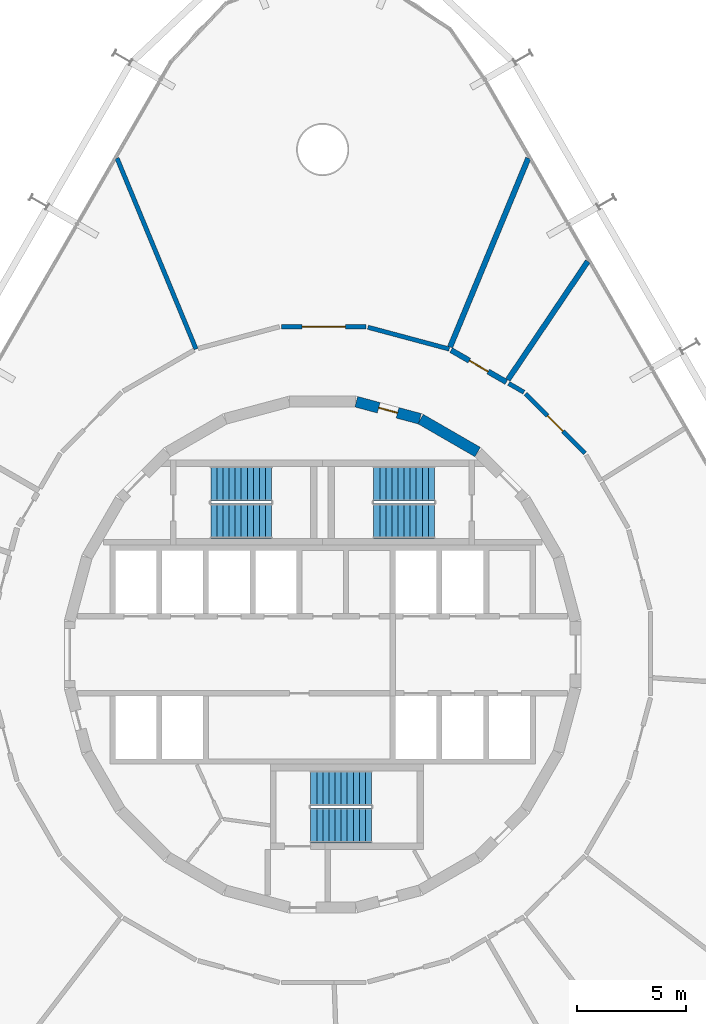
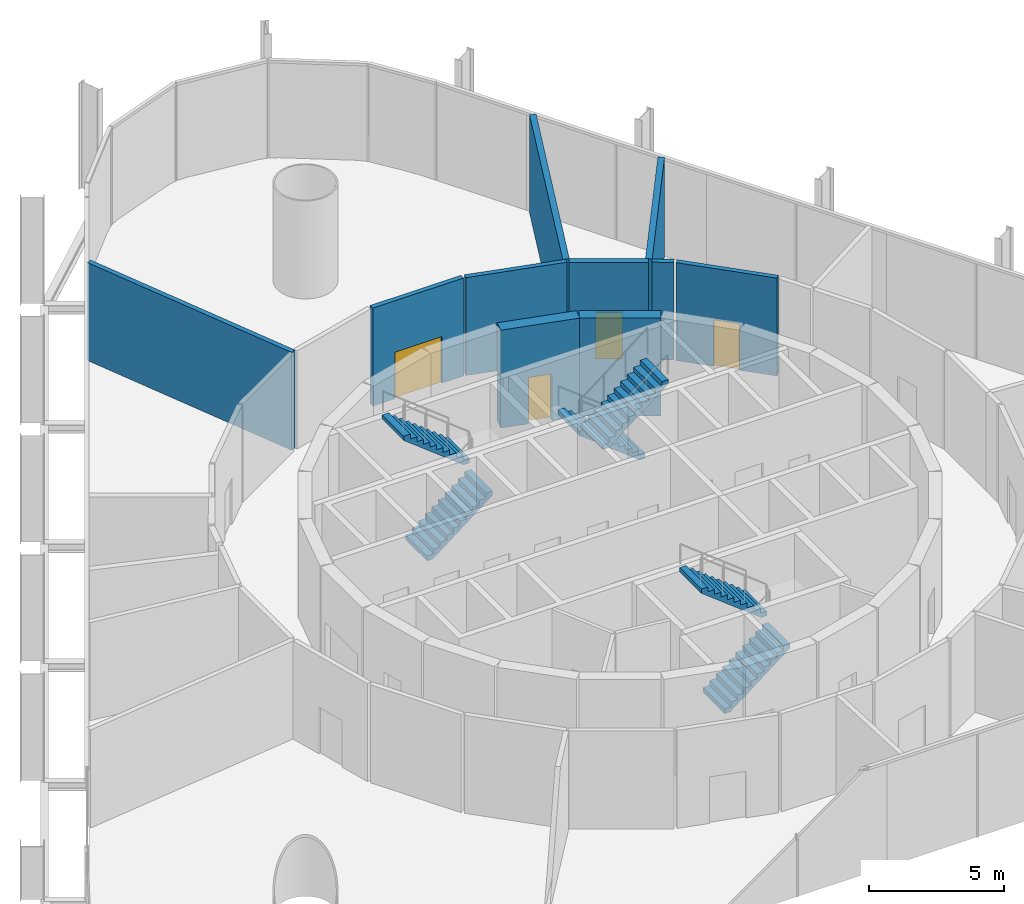
# One storey, part 16 of 17: 10 walls, 6 stair flights, 4 doors, 4 openings, 3 elements without a shape of their own.
"""IFC4 building model written with IfcOpenShell, lengths in metres."""

from ifc_helpers import new_model, si_unit, direction, frame, frame_2d, origin, place, context, subcontext, project, spatial, polyline, rectangle, outline, extrude, material, layer, layer_set, type_object, element, fill, aggregate, save


model = new_model("IFC4")

# Units and contexts
model_context = context("Model", 3, precision=1e-05, world=origin(), true_north=direction((0.0, 1.0)))
body_context = subcontext(model_context, "Body", "Model", "MODEL_VIEW")
ifc_project = project(units=[si_unit("LENGTHUNIT", "METRE"), si_unit("AREAUNIT", "SQUARE_METRE"), si_unit("VOLUMEUNIT", "CUBIC_METRE"), si_unit("PLANEANGLEUNIT", "RADIAN"), si_unit("MASSUNIT", "GRAM", prefix="KILO")], contexts=[model_context])

# Site, building, storey
site_placement = place(None, origin())
site = spatial("IfcSite", under=ifc_project, at=site_placement, CompositionType="ELEMENT")
building_placement = place(site_placement, origin())
building = spatial("IfcBuilding", under=site, at=building_placement, Name="Spindle Arch Residences", CompositionType="ELEMENT")
storey_placement = place(building_placement, frame((0.0, 0.0, 13.800048828125)))
storey = spatial("IfcBuildingStorey", under=building, at=storey_placement, Name="L02", CompositionType="ELEMENT", Elevation=13.800048828125)

# Wall
ifc_material_1 = material(Name="Concrete C50/60", Category="concrete")
ifc_layer_1 = layer(ifc_material_1, 0.5)
ifc_layer_set_1 = layer_set([ifc_layer_1], Name="Core outline wall 500")
wall_type_1 = type_object("IfcWallType", Name="Core outline wall 500", PredefinedType="SHEAR", material=ifc_layer_set_1)
wall_1_placement = place(storey_placement, frame((7.13671875, 9.32861328125, 0.0), z_axis=(0.0, 0.0, 1.0), x_axis=(-0.865975092491, 0.500087131594, 0.0)))
element("IfcWall", 1, at=wall_1_placement, inside=storey, type_object=wall_type_1, Name="Core outline wall 10", PredefinedType="SHEAR", context=body_context, shape_type="SweptSolid", body=[
    extrude(rectangle(XDim=3.03271484375, YDim=0.5, at=frame_2d((1.516357421875, 0.0))), origin(), (0.0, 0.0, 1.0), 4.419921875),
])

# Wall, opening, door
wall_2_placement = place(storey_placement, frame((4.479248046875, 10.858154296875, 0.0), z_axis=(0.0, 0.0, 1.0), x_axis=(-0.965948410781, 0.258734743916, 0.0)))
wall_2 = element("IfcWall", 2, at=wall_2_placement, inside=storey, type_object=wall_type_1, Name="Core outline wall 11", PredefinedType="SHEAR", context=body_context, shape_type="SweptSolid", body=[
    extrude(rectangle(XDim=3.03271484375, YDim=0.5, at=frame_2d((1.516357421875, 0.0))), origin(), (0.0, 0.0, 1.0), 4.419921875),
])
opening_1_placement = place(wall_2_placement, frame((1.066162109375, 0.0, 0.0)))
opening_1 = element("IfcOpeningElement", 3, at=opening_1_placement, cuts=wall_2, Name="Opening L02-WD10", PredefinedType="OPENING", context=body_context, shape_type="SweptSolid", body=[
    extrude(rectangle(XDim=0.89990234375, YDim=2.10009765625, at=frame_2d((0.449951171875, 1.050048828125))), frame((0.0, 0.260009765625, 0.0), z_axis=(0.0, -1.0, 0.0), x_axis=(1.0, 0.0, 0.0)), (0.0, 0.0, 1.0), 0.52001953125),
])
ifc_material_2 = material(Name="Steel, fire-resisting door", Category="steel")
door_type_1 = type_object("IfcDoorType", Name="Service room door 900x2100", OperationType="SINGLE_SWING_LEFT", PredefinedType="DOOR", material=ifc_material_2)
door_1_placement = place(opening_1_placement, origin())
door_1 = element("IfcDoor", 4, at=door_1_placement, inside=storey, type_object=door_type_1, Name="Service room door L02-WD10", OperationType="SINGLE_SWING_LEFT", OverallHeight=2.10009765625, OverallWidth=0.89990234375, PredefinedType="DOOR", context=body_context, shape_type="SweptSolid", body=[
    extrude(rectangle(XDim=0.89990234375, YDim=2.10009765625, at=frame_2d((0.449951171875, 1.050048828125))), frame((0.0, 0.02490234375, 0.0), z_axis=(0.0, -1.0, 0.0), x_axis=(1.0, 0.0, 0.0)), (0.0, 0.0, 1.0), 0.050048828125),
])
fill(opening_1, door_1)

ifc_material_3 = material(Name="Concrete C25/30 wall", Category="concrete")
ifc_layer_2 = layer(ifc_material_3, 0.25)
ifc_layer_set_2 = layer_set([ifc_layer_2], Name="Partition EI 120 250 store")
wall_type_2 = type_object("IfcWallType", Name="Partition EI 120 250 store", PredefinedType="PARTITIONING", material=ifc_layer_set_2)
wall_3_placement = place(storey_placement, frame((8.4599609375, 12.550048828125, 0.0), z_axis=(0.0, 0.0, 1.0), x_axis=(-0.865803467568, 0.500384207931, 0.0)))
wall_3 = element("IfcWall", 5, at=wall_3_placement, inside=storey, type_object=wall_type_2, Name="L02-W029", PredefinedType="PARTITIONING", context=body_context, shape_type="SweptSolid", body=[
    extrude(rectangle(XDim=2.937744140625, YDim=0.25, at=frame_2d((1.46875, 0.0))), origin(), (0.0, 0.0, 1.0), 4.419921875),
])
opening_2_placement = place(wall_3_placement, frame((0.96875, 0.0, 0.0)))
opening_2 = element("IfcOpeningElement", 6, at=opening_2_placement, cuts=wall_3, Name="Opening L02-D13", PredefinedType="OPENING", context=body_context, shape_type="SweptSolid", body=[
    extrude(rectangle(XDim=1.0, YDim=2.10009765625, at=frame_2d((0.5, 1.050048828125))), frame((0.0, 0.135009765625, 0.0), z_axis=(0.0, -1.0, 0.0), x_axis=(1.0, 0.0, 0.0)), (0.0, 0.0, 1.0), 0.27001953125),
])
ifc_material_4 = material(Name="Steel door leaf, painted", Category="steel")
door_type_2 = type_object("IfcDoorType", Name="Door 1000x2100 EI 60", OperationType="SINGLE_SWING_LEFT", PredefinedType="DOOR", material=ifc_material_4)
door_2_placement = place(opening_2_placement, origin())
door_2 = element("IfcDoor", 7, at=door_2_placement, inside=storey, type_object=door_type_2, Name="L02-D13", OperationType="SINGLE_SWING_LEFT", OverallHeight=2.10009765625, OverallWidth=1.0, PredefinedType="DOOR", context=body_context, shape_type="SweptSolid", body=[
    extrude(rectangle(XDim=1.0, YDim=2.10009765625, at=frame_2d((0.5, 1.050048828125))), frame((0.0, 0.02490234375, 0.0), z_axis=(0.0, -1.0, 0.0), x_axis=(1.0, 0.0, 0.0)), (0.0, 0.0, 1.0), 0.050048828125),
])
fill(opening_2, door_2)

# Walls
wall_4_placement = place(storey_placement, frame((8.52978515625, 12.653564453125, 0.0), z_axis=(0.0, 0.0, 1.0), x_axis=(0.559160642802, 0.829059331738, 0.0)))
element("IfcWall", 8, at=wall_4_placement, inside=storey, type_object=wall_type_2, Name="L02-W030", PredefinedType="PARTITIONING", context=body_context, shape_type="SweptSolid", body=[
    extrude(rectangle(XDim=6.58154296875, YDim=0.25, at=frame_2d((3.290771484375, 0.0))), origin(), (0.0, 0.0, 1.0), 4.419921875),
])
wall_5_placement = place(storey_placement, frame((9.469970703125, 22.860107421875, 0.0), z_axis=(0.0, 0.0, 1.0), x_axis=(-0.382599926304, -0.923914117433, 0.0)))
element("IfcWall", 9, at=wall_5_placement, inside=storey, type_object=wall_type_2, Name="L02-W034", PredefinedType="PARTITIONING", context=body_context, shape_type="SweptSolid", body=[
    extrude(rectangle(XDim=9.4140625, YDim=0.25, at=frame_2d((4.70703125, 0.0))), origin(), (0.0, 0.0, 1.0), 4.419921875),
])
ifc_material_5 = material(Name="Gypsum board partition on steel studs", Category="steel")
ifc_layer_3 = layer(ifc_material_5, 0.199951171875)
ifc_layer_set_3 = layer_set([ifc_layer_3], Name="Partition EI 60 200 amenity")
wall_type_3 = type_object("IfcWallType", Name="Partition EI 60 200 amenity", PredefinedType="PARTITIONING", material=ifc_layer_set_3)
wall_6_placement = place(storey_placement, frame((-5.830078125, 14.070068359375, 0.0), z_axis=(0.0, 0.0, 1.0), x_axis=(-0.382588257379, 0.923918949538, 0.0)))
element("IfcWall", 10, at=wall_6_placement, inside=storey, type_object=wall_type_3, Name="L02-W017", PredefinedType="PARTITIONING", context=body_context, shape_type="SweptSolid", body=[
    extrude(rectangle(XDim=9.513916015625, YDim=0.199951171875, at=frame_2d((4.7568359375, 0.0))), origin(), (0.0, 0.0, 1.0), 4.419921875),
])

# Wall, opening, door
wall_7_placement = place(storey_placement, frame((1.989990234375, 15.10009765625, 0.0), z_axis=(0.0, 0.0, 1.0), x_axis=(-1.0, 0.0, 0.0)))
wall_7 = element("IfcWall", 11, at=wall_7_placement, inside=storey, type_object=wall_type_3, Name="L02-W024", PredefinedType="PARTITIONING", context=body_context, shape_type="SweptSolid", body=[
    extrude(rectangle(XDim=3.8798828125, YDim=0.199951171875, at=frame_2d((1.93994140625, 0.0))), origin(), (0.0, 0.0, 1.0), 4.419921875),
])
opening_3_placement = place(wall_7_placement, frame((0.93994140625, 0.0, 0.0)))
opening_3 = element("IfcOpeningElement", 12, at=opening_3_placement, cuts=wall_7, Name="Opening L02-D14", PredefinedType="OPENING", context=body_context, shape_type="SweptSolid", body=[
    extrude(rectangle(XDim=2.0, YDim=2.10009765625, at=frame_2d((1.0, 1.050048828125))), frame((0.0, 0.10986328125, 0.0), z_axis=(0.0, -1.0, 0.0), x_axis=(1.0, 0.0, 0.0)), (0.0, 0.0, 1.0), 0.219970703125),
])
ifc_material_6 = material(Name="Timber door leaves, acoustic seals", Category="wood")
door_type_3 = type_object("IfcDoorType", Name="Cinema acoustic double door EI 30 2000x2100", OperationType="DOUBLE_DOOR_SINGLE_SWING", PredefinedType="DOOR", material=ifc_material_6)
door_3_placement = place(opening_3_placement, origin())
door_3 = element("IfcDoor", 13, at=door_3_placement, inside=storey, type_object=door_type_3, Name="L02-D14", OperationType="DOUBLE_DOOR_SINGLE_SWING", OverallHeight=2.10009765625, OverallWidth=2.0, PredefinedType="DOOR", context=body_context, shape_type="SweptSolid", body=[
    extrude(rectangle(XDim=2.0, YDim=2.10009765625, at=frame_2d((1.0, 1.050048828125))), frame((0.0, 0.02490234375, 0.0), z_axis=(0.0, -1.0, 0.0), x_axis=(1.0, 0.0, 0.0)), (0.0, 0.0, 1.0), 0.050048828125),
])
fill(opening_3, door_3)

# Walls
wall_8_placement = place(storey_placement, frame((5.830078125, 14.070068359375, 0.0), z_axis=(0.0, 0.0, 1.0), x_axis=(-0.965870133458, 0.259026804199, 0.0)))
element("IfcWall", 14, at=wall_8_placement, inside=storey, type_object=wall_type_3, Name="L02-W026", PredefinedType="PARTITIONING", context=body_context, shape_type="SweptSolid", body=[
    extrude(rectangle(XDim=3.875732421875, YDim=0.199951171875, at=frame_2d((1.93798828125, 0.0))), origin(), (0.0, 0.0, 1.0), 4.419921875),
])
wall_9_placement = place(storey_placement, frame((9.27001953125, 12.080078125, 0.0), z_axis=(0.0, 0.0, 1.0), x_axis=(-0.864965895546, 0.501830648268, 0.0)))
element("IfcWall", 15, at=wall_9_placement, inside=storey, type_object=wall_type_3, Name="L02-W033", PredefinedType="PARTITIONING", context=body_context, shape_type="SweptSolid", body=[
    extrude(rectangle(XDim=0.8115234375, YDim=0.199951171875, at=frame_2d((0.40576171875, 0.0))), origin(), (0.0, 0.0, 1.0), 4.419921875),
])

# Wall, opening, door
wall_10_placement = place(storey_placement, frame((12.080078125, 9.27001953125, 0.0), z_axis=(0.0, 0.0, 1.0), x_axis=(-0.707106781187, 0.707106781187, 0.0)))
wall_10 = element("IfcWall", 16, at=wall_10_placement, inside=storey, type_object=wall_type_3, Name="L02-W037", PredefinedType="PARTITIONING", context=body_context, shape_type="SweptSolid", body=[
    extrude(rectangle(XDim=3.873779296875, YDim=0.199951171875, at=frame_2d((1.93701171875, 0.0))), origin(), (0.0, 0.0, 1.0), 4.419921875),
])
opening_4_placement = place(wall_10_placement, frame((1.43701171875, 0.0, 0.0)))
opening_4 = element("IfcOpeningElement", 17, at=opening_4_placement, cuts=wall_10, Name="Opening L02-D11", PredefinedType="OPENING", context=body_context, shape_type="SweptSolid", body=[
    extrude(rectangle(XDim=1.0, YDim=2.10009765625, at=frame_2d((0.5, 1.050048828125))), frame((0.0, 0.10986328125, 0.0), z_axis=(0.0, -1.0, 0.0), x_axis=(1.0, 0.0, 0.0)), (0.0, 0.0, 1.0), 0.219970703125),
])
ifc_material_7 = material(Name="Timber door leaf", Category="wood")
door_type_4 = type_object("IfcDoorType", Name="Door 1000x2100 EI 30", OperationType="SINGLE_SWING_LEFT", PredefinedType="DOOR", material=ifc_material_7)
door_4_placement = place(opening_4_placement, origin())
door_4 = element("IfcDoor", 18, at=door_4_placement, inside=storey, type_object=door_type_4, Name="L02-D11", OperationType="SINGLE_SWING_LEFT", OverallHeight=2.10009765625, OverallWidth=1.0, PredefinedType="DOOR", context=body_context, shape_type="SweptSolid", body=[
    extrude(rectangle(XDim=1.0, YDim=2.10009765625, at=frame_2d((0.5, 1.050048828125))), frame((0.0, 0.02490234375, 0.0), z_axis=(0.0, -1.0, 0.0), x_axis=(1.0, 0.0, 0.0)), (0.0, 0.0, 1.0), 0.050048828125),
])
fill(opening_4, door_4)

# Stair, stair flights
ifc_material_8 = material(Name="Concrete C50/60", Category="concrete")
stair_type = type_object("IfcStairType", Name="Exit stair 22 risers", PredefinedType="HALF_TURN_STAIR", material=ifc_material_8)
stair_1_placement = place(storey_placement, origin())
stair_1 = element("IfcStair", 19, at=stair_1_placement, inside=storey, type_object=stair_type, Name="L02 Exit stair ST1", PredefinedType="HALF_TURN_STAIR")
ifc_material_9 = material(Name="Concrete C50/60", Category="concrete")
stair_flight_type = type_object("IfcStairFlightType", Name="Exit stair flight", PredefinedType="STRAIGHT", material=ifc_material_9)
stair_flight_1_placement = place(storey_placement, frame((5.14990234375, 7.8701171875, 0.0), z_axis=(0.0, 0.0, 1.0), x_axis=(-1.0, 0.0, 0.0)))
stair_flight_1 = element("IfcStairFlight", 20, at=stair_flight_1_placement, type_object=stair_flight_type, Name="ST1 flight 1", NumberOfRisers=11, NumberOfTreads=10, PredefinedType="STRAIGHT", RiserHeight=0.218181818, TreadLength=0.28, context=body_context, shape_type="SweptSolid", body=[
    extrude(outline(polyline([(0.0, 0.0), (0.0, 0.21826171875), (0.280029296875, 0.21826171875), (0.280029296875, 0.436279296875), (0.56005859375, 0.436279296875), (0.56005859375, 0.654541015625), (0.840087890625, 0.654541015625), (0.840087890625, 0.872802734375), (1.1201171875, 0.872802734375), (1.1201171875, 1.0908203125), (1.39990234375, 1.0908203125), (1.39990234375, 1.30908203125), (1.679931640625, 1.30908203125), (1.679931640625, 1.52734375), (1.9599609375, 1.52734375), (1.9599609375, 1.745361328125), (2.239990234375, 1.745361328125), (2.239990234375, 1.963623046875), (2.52001953125, 1.963623046875), (2.52001953125, 2.181884765625), (2.800048828125, 2.181884765625), (2.800048828125, 2.39990234375), (2.800048828125, 1.99169921875), (0.243896484375, 0.0), (0.0, 0.0)])), frame((0.0, 0.800048828125, 0.0), z_axis=(0.0, -1.0, 0.0), x_axis=(1.0, 0.0, 0.0)), (0.0, 0.0, 1.0), 1.60009765625),
])
stair_flight_2_placement = place(storey_placement, frame((2.35009765625, 6.14990234375, 2.39990234375), z_axis=(0.0, 0.0, 1.0), x_axis=(1.0, 0.0, 0.0)))
stair_flight_2 = element("IfcStairFlight", 21, at=stair_flight_2_placement, type_object=stair_flight_type, Name="ST1 flight 2", NumberOfRisers=11, NumberOfTreads=10, PredefinedType="STRAIGHT", RiserHeight=0.218181818, TreadLength=0.28, context=body_context, shape_type="SweptSolid", body=[
    extrude(outline(polyline([(0.0, 0.0), (0.0, 0.21826171875), (0.280029296875, 0.21826171875), (0.280029296875, 0.436279296875), (0.56005859375, 0.436279296875), (0.56005859375, 0.654541015625), (0.840087890625, 0.654541015625), (0.840087890625, 0.872802734375), (1.1201171875, 0.872802734375), (1.1201171875, 1.0908203125), (1.39990234375, 1.0908203125), (1.39990234375, 1.30908203125), (1.679931640625, 1.30908203125), (1.679931640625, 1.52734375), (1.9599609375, 1.52734375), (1.9599609375, 1.745361328125), (2.239990234375, 1.745361328125), (2.239990234375, 1.963623046875), (2.52001953125, 1.963623046875), (2.52001953125, 2.181884765625), (2.800048828125, 2.181884765625), (2.800048828125, 2.39990234375), (2.800048828125, 1.99169921875), (0.243896484375, 0.0), (0.0, 0.0)])), frame((0.0, 0.800048828125, 0.0), z_axis=(0.0, -1.0, 0.0), x_axis=(1.0, 0.0, 0.0)), (0.0, 0.0, 1.0), 1.60009765625),
])
aggregate(stair_1, [stair_flight_1, stair_flight_2])

stair_2_placement = place(storey_placement, origin())
stair_2 = element("IfcStair", 22, at=stair_2_placement, inside=storey, type_object=stair_type, Name="L02 Exit stair ST2", PredefinedType="HALF_TURN_STAIR")
stair_flight_3_placement = place(storey_placement, frame((-5.14990234375, 6.14990234375, 0.0), z_axis=(0.0, 0.0, 1.0), x_axis=(1.0, 0.0, 0.0)))
stair_flight_3 = element("IfcStairFlight", 23, at=stair_flight_3_placement, type_object=stair_flight_type, Name="ST2 flight 1", NumberOfRisers=11, NumberOfTreads=10, PredefinedType="STRAIGHT", RiserHeight=0.218181818, TreadLength=0.28, context=body_context, shape_type="SweptSolid", body=[
    extrude(outline(polyline([(0.0, 0.0), (0.0, 0.21826171875), (0.280029296875, 0.21826171875), (0.280029296875, 0.436279296875), (0.56005859375, 0.436279296875), (0.56005859375, 0.654541015625), (0.840087890625, 0.654541015625), (0.840087890625, 0.872802734375), (1.1201171875, 0.872802734375), (1.1201171875, 1.0908203125), (1.39990234375, 1.0908203125), (1.39990234375, 1.30908203125), (1.679931640625, 1.30908203125), (1.679931640625, 1.52734375), (1.9599609375, 1.52734375), (1.9599609375, 1.745361328125), (2.239990234375, 1.745361328125), (2.239990234375, 1.963623046875), (2.52001953125, 1.963623046875), (2.52001953125, 2.181884765625), (2.800048828125, 2.181884765625), (2.800048828125, 2.39990234375), (2.800048828125, 1.99169921875), (0.243896484375, 0.0), (0.0, 0.0)])), frame((0.0, 0.800048828125, 0.0), z_axis=(0.0, -1.0, 0.0), x_axis=(1.0, 0.0, 0.0)), (0.0, 0.0, 1.0), 1.60009765625),
])
stair_flight_4_placement = place(storey_placement, frame((-2.35009765625, 7.8701171875, 2.39990234375), z_axis=(0.0, 0.0, 1.0), x_axis=(-1.0, 0.0, 0.0)))
stair_flight_4 = element("IfcStairFlight", 24, at=stair_flight_4_placement, type_object=stair_flight_type, Name="ST2 flight 2", NumberOfRisers=11, NumberOfTreads=10, PredefinedType="STRAIGHT", RiserHeight=0.218181818, TreadLength=0.28, context=body_context, shape_type="SweptSolid", body=[
    extrude(outline(polyline([(0.0, 0.0), (0.0, 0.21826171875), (0.280029296875, 0.21826171875), (0.280029296875, 0.436279296875), (0.56005859375, 0.436279296875), (0.56005859375, 0.654541015625), (0.840087890625, 0.654541015625), (0.840087890625, 0.872802734375), (1.1201171875, 0.872802734375), (1.1201171875, 1.0908203125), (1.39990234375, 1.0908203125), (1.39990234375, 1.30908203125), (1.679931640625, 1.30908203125), (1.679931640625, 1.52734375), (1.9599609375, 1.52734375), (1.9599609375, 1.745361328125), (2.239990234375, 1.745361328125), (2.239990234375, 1.963623046875), (2.52001953125, 1.963623046875), (2.52001953125, 2.181884765625), (2.800048828125, 2.181884765625), (2.800048828125, 2.39990234375), (2.800048828125, 1.99169921875), (0.243896484375, 0.0), (0.0, 0.0)])), frame((0.0, 0.800048828125, 0.0), z_axis=(0.0, -1.0, 0.0), x_axis=(1.0, 0.0, 0.0)), (0.0, 0.0, 1.0), 1.60009765625),
])
aggregate(stair_2, [stair_flight_3, stair_flight_4])

stair_3_placement = place(storey_placement, origin())
stair_3 = element("IfcStair", 25, at=stair_3_placement, inside=storey, type_object=stair_type, Name="L02 Exit stair ST3", PredefinedType="HALF_TURN_STAIR")
stair_flight_5_placement = place(storey_placement, frame((-0.550048828125, -7.8701171875, 0.0), z_axis=(0.0, 0.0, 1.0), x_axis=(1.0, 0.0, 0.0)))
stair_flight_5 = element("IfcStairFlight", 26, at=stair_flight_5_placement, type_object=stair_flight_type, Name="ST3 flight 1", NumberOfRisers=11, NumberOfTreads=10, PredefinedType="STRAIGHT", RiserHeight=0.218181818, TreadLength=0.28, context=body_context, shape_type="SweptSolid", body=[
    extrude(outline(polyline([(0.0, 0.0), (0.0, 0.21826171875), (0.280029296875, 0.21826171875), (0.280029296875, 0.436279296875), (0.56005859375, 0.436279296875), (0.56005859375, 0.654541015625), (0.840087890625, 0.654541015625), (0.840087890625, 0.872802734375), (1.1201171875, 0.872802734375), (1.1201171875, 1.0908203125), (1.39990234375, 1.0908203125), (1.39990234375, 1.30908203125), (1.679931640625, 1.30908203125), (1.679931640625, 1.52734375), (1.9599609375, 1.52734375), (1.9599609375, 1.745361328125), (2.239990234375, 1.745361328125), (2.239990234375, 1.963623046875), (2.52001953125, 1.963623046875), (2.52001953125, 2.181884765625), (2.800048828125, 2.181884765625), (2.800048828125, 2.39990234375), (2.800048828125, 1.99169921875), (0.243896484375, 0.0), (0.0, 0.0)])), frame((0.0, 0.800048828125, 0.0), z_axis=(0.0, -1.0, 0.0), x_axis=(1.0, 0.0, 0.0)), (0.0, 0.0, 1.0), 1.60009765625),
])
stair_flight_6_placement = place(storey_placement, frame((2.25, -6.14990234375, 2.39990234375), z_axis=(0.0, 0.0, 1.0), x_axis=(-1.0, 0.0, 0.0)))
stair_flight_6 = element("IfcStairFlight", 27, at=stair_flight_6_placement, type_object=stair_flight_type, Name="ST3 flight 2", NumberOfRisers=11, NumberOfTreads=10, PredefinedType="STRAIGHT", RiserHeight=0.218181818, TreadLength=0.28, context=body_context, shape_type="SweptSolid", body=[
    extrude(outline(polyline([(0.0, 0.0), (0.0, 0.21826171875), (0.280029296875, 0.21826171875), (0.280029296875, 0.436279296875), (0.56005859375, 0.436279296875), (0.56005859375, 0.654541015625), (0.840087890625, 0.654541015625), (0.840087890625, 0.872802734375), (1.1201171875, 0.872802734375), (1.1201171875, 1.0908203125), (1.39990234375, 1.0908203125), (1.39990234375, 1.30908203125), (1.679931640625, 1.30908203125), (1.679931640625, 1.52734375), (1.9599609375, 1.52734375), (1.9599609375, 1.745361328125), (2.239990234375, 1.745361328125), (2.239990234375, 1.963623046875), (2.52001953125, 1.963623046875), (2.52001953125, 2.181884765625), (2.800048828125, 2.181884765625), (2.800048828125, 2.39990234375), (2.800048828125, 1.99169921875), (0.243896484375, 0.0), (0.0, 0.0)])), frame((0.0, 0.800048828125, 0.0), z_axis=(0.0, -1.0, 0.0), x_axis=(1.0, 0.0, 0.0)), (0.0, 0.0, 1.0), 1.60009765625),
])
aggregate(stair_3, [stair_flight_5, stair_flight_6])

save(model, "model.ifc")
